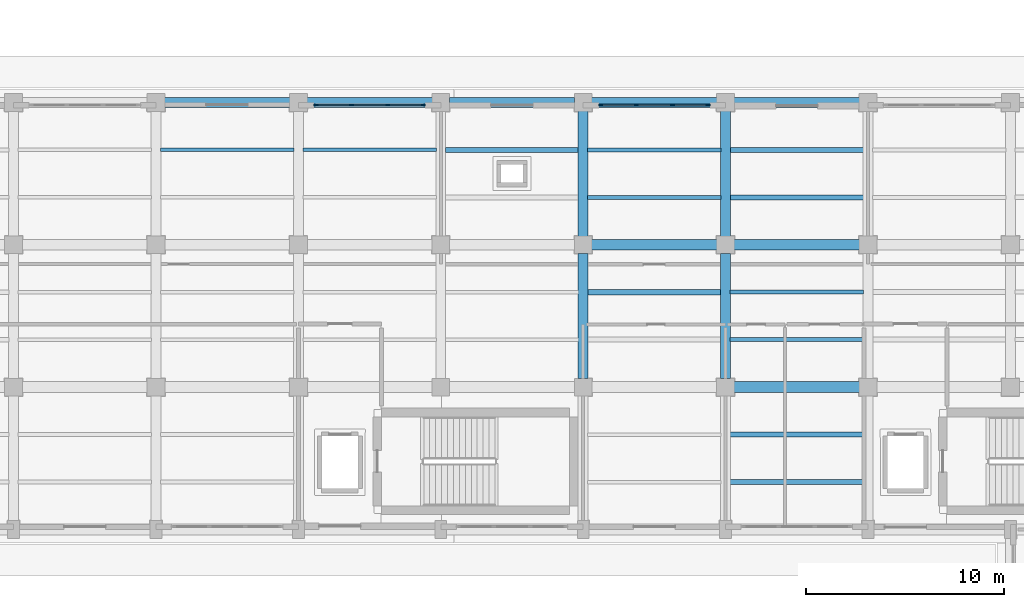
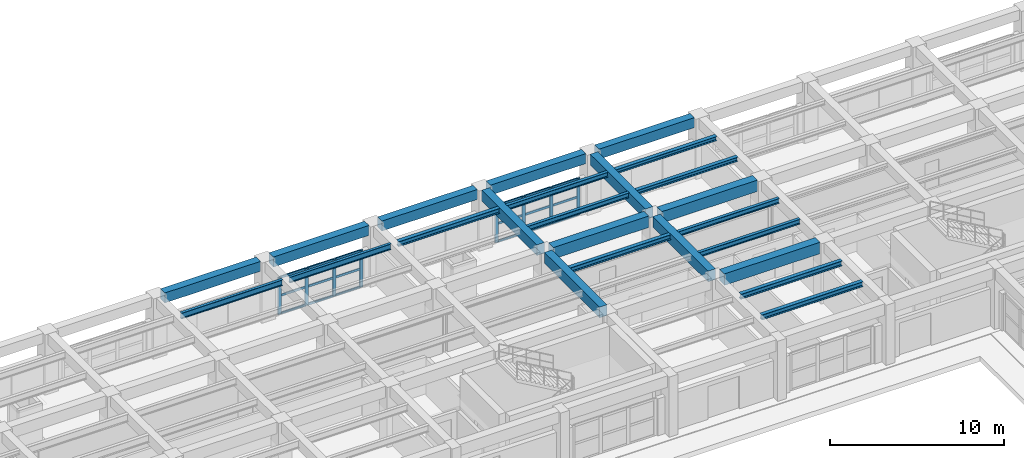
# One storey, part 25 of 64: 26 members, 24 beams, 2 elements without a shape of their own.
"""IFC4 building model written with IfcOpenShell, lengths in metres."""

from ifc_helpers import new_model, si_unit, direction, frame, origin, origin_2d, place, context, subcontext, project, spatial, rectangle, i_section, extrude, material, layer, layer_set, material_profile, profile_set, type_object, element, aggregate, save


model = new_model("IFC4")

# Units and contexts
model_context = context("Model", 3, precision=1e-05, world=origin(), true_north=direction((0.0, 1.0)))
body_context = subcontext(model_context, "Body", "Model", "MODEL_VIEW")
ifc_project = project(units=[si_unit("LENGTHUNIT", "METRE"), si_unit("AREAUNIT", "SQUARE_METRE"), si_unit("VOLUMEUNIT", "CUBIC_METRE"), si_unit("PLANEANGLEUNIT", "RADIAN"), si_unit("MASSUNIT", "GRAM", prefix="KILO")], contexts=[model_context])

# Site, building, storey
site_placement = place(None, origin())
site = spatial("IfcSite", under=ifc_project, at=site_placement, CompositionType="ELEMENT")
building_placement = place(site_placement, origin())
building = spatial("IfcBuilding", under=site, at=building_placement, Name="Solenvale Faculty of Natural Sciences", CompositionType="ELEMENT")
storey_placement = place(building_placement, origin())
storey = spatial("IfcBuildingStorey", under=building, at=storey_placement, Name="L00", CompositionType="ELEMENT", Elevation=0.0)

# Beams
ifc_material_1 = material(Name="Concrete 40 MPa", Category="concrete")
ifc_material_profile_1 = material_profile(ifc_material_1, rectangle(XDim=0.5, YDim=0.75, at=origin_2d()), Name="RC-BM-500x750")
ifc_profile_set_1 = profile_set([ifc_material_profile_1], Name="Concrete 40 MPa")
beam_type_1 = type_object("IfcBeamType", Name="BM-RC-500x750", PredefinedType="BEAM", material=ifc_profile_set_1)
for number, where, z_axis, x_axis, name in (
    (1, (115.199951171875, 101.22998046875, 3.844970703125), (0.0, 1.0, 0.0), (-1.0, 0.0, 0.0), "L00 Y-Girder X115.2 (100.8..108.0)"),
    (2, (115.199951171875, 108.429931640625, 3.844970703125), (0.0, 1.0, 0.0), (-1.0, 0.0, 0.0), "L00 Y-Girder X115.2 (108.0..115.2)"),
    (3, (122.39990234375, 101.22998046875, 3.844970703125), (0.0, 1.0, 0.0), (-1.0, 0.0, 0.0), "L00 Y-Girder X122.4 (100.8..108.0)"),
    (4, (122.39990234375, 108.429931640625, 3.844970703125), (0.0, 1.0, 0.0), (-1.0, 0.0, 0.0), "L00 Y-Girder X122.4 (108.0..115.2)"),
):
    element("IfcBeam", number, at=place(storey_placement, frame(where, z_axis=z_axis, x_axis=x_axis)), inside=storey, type_object=beam_type_1, Name=name, PredefinedType="BEAM", context=body_context, shape_type="SweptSolid", body=[
        extrude(rectangle(XDim=0.5, YDim=0.75, at=origin_2d()), origin(), (0.0, 0.0, 1.0), 6.340087890625),
    ])
ifc_material_profile_2 = material_profile(ifc_material_1, rectangle(XDim=0.550048828125, YDim=0.800048828125, at=origin_2d()), Name="RC-BM-550x800")
ifc_profile_set_2 = profile_set([ifc_material_profile_2], Name="Concrete 40 MPa")
beam_type_2 = type_object("IfcBeamType", Name="BM-RC-550x800", PredefinedType="BEAM", material=ifc_profile_set_2)
beam_1_placement = place(storey_placement, frame((122.830078125, 100.800048828125, 3.820068359375), z_axis=(1.0, 0.0, 0.0), x_axis=(0.0, 1.0, 0.0)))
element("IfcBeam", 5, at=beam_1_placement, inside=storey, type_object=beam_type_2, Name="L00 X-Girder Y100.8 (122.4..129.6)", PredefinedType="BEAM", context=body_context, shape_type="SweptSolid", body=[
    extrude(rectangle(XDim=0.550048828125, YDim=0.800048828125, at=origin_2d()), origin(), (0.0, 0.0, 1.0), 6.33984375),
])
beam_2_placement = place(storey_placement, frame((115.6298828125, 108.0, 3.820068359375), z_axis=(1.0, 0.0, 0.0), x_axis=(0.0, 1.0, 0.0)))
element("IfcBeam", 6, at=beam_2_placement, inside=storey, type_object=beam_type_2, Name="L00 X-Girder Y108.0 (115.2..122.4)", PredefinedType="BEAM", context=body_context, shape_type="SweptSolid", body=[
    extrude(rectangle(XDim=0.550048828125, YDim=0.800048828125, at=origin_2d()), origin(), (0.0, 0.0, 1.0), 6.340087890625),
])
beam_3_placement = place(storey_placement, frame((122.830078125, 108.0, 3.820068359375), z_axis=(1.0, 0.0, 0.0), x_axis=(0.0, 1.0, 0.0)))
element("IfcBeam", 7, at=beam_3_placement, inside=storey, type_object=beam_type_2, Name="L00 X-Girder Y108.0 (122.4..129.6)", PredefinedType="BEAM", context=body_context, shape_type="SweptSolid", body=[
    extrude(rectangle(XDim=0.550048828125, YDim=0.800048828125, at=origin_2d()), origin(), (0.0, 0.0, 1.0), 6.33984375),
])
ifc_material_2 = material(Name="Precast concrete 40 MPa", Category="concrete")
ifc_material_profile_3 = material_profile(ifc_material_2, rectangle(XDim=0.5, YDim=0.699951171875, at=origin_2d()), Name="RC-BM-500x700")
ifc_profile_set_3 = profile_set([ifc_material_profile_3], Name="Precast concrete 40 MPa")
beam_type_3 = type_object("IfcBeamType", Name="BM-SPN-PRC-700", PredefinedType="SPANDREL", material=ifc_profile_set_3)
for number, where, z_axis, x_axis, name in (
    (8, (94.030029296875, 115.199951171875, 3.8701171875), (1.0, 0.0, 0.0), (0.0, 1.0, 0.0), "L00 X-Girder Y115.2 (93.6..100.8)"),
    (9, (101.22998046875, 115.199951171875, 3.8701171875), (1.0, 0.0, 0.0), (0.0, 1.0, 0.0), "L00 X-Girder Y115.2 (100.8..108.0)"),
    (10, (108.429931640625, 115.199951171875, 3.8701171875), (1.0, 0.0, 0.0), (0.0, 1.0, 0.0), "L00 X-Girder Y115.2 (108.0..115.2)"),
    (11, (115.6298828125, 115.199951171875, 3.8701171875), (1.0, 0.0, 0.0), (0.0, 1.0, 0.0), "L00 X-Girder Y115.2 (115.2..122.4)"),
):
    element("IfcBeam", number, at=place(storey_placement, frame(where, z_axis=z_axis, x_axis=x_axis)), inside=storey, type_object=beam_type_3, Name=name, PredefinedType="SPANDREL", context=body_context, shape_type="SweptSolid", body=[
        extrude(rectangle(XDim=0.5, YDim=0.699951171875, at=origin_2d()), origin(), (0.0, 0.0, 1.0), 6.340087890625),
    ])
beam_4_placement = place(storey_placement, frame((122.830078125, 115.199951171875, 3.8701171875), z_axis=(1.0, 0.0, 0.0), x_axis=(0.0, 1.0, 0.0)))
element("IfcBeam", 12, at=beam_4_placement, inside=storey, type_object=beam_type_3, Name="L00 X-Girder Y115.2 (122.4..129.6)", PredefinedType="SPANDREL", context=body_context, shape_type="SweptSolid", body=[
    extrude(rectangle(XDim=0.5, YDim=0.699951171875, at=origin_2d()), origin(), (0.0, 0.0, 1.0), 6.33984375),
])
ifc_material_3 = material(Name="Steel S355", Category="steel")
ifc_material_profile_4 = material_profile(ifc_material_3, i_section(OverallWidth=0.25390625, OverallDepth=0.305908203125, WebThickness=0.0087890625, FlangeThickness=0.0146484375, FilletRadius=0.014892578125, at=origin_2d()), Name="W310x79")
ifc_profile_set_4 = profile_set([ifc_material_profile_4], Name="Steel S355")
beam_type_4 = type_object("IfcBeamType", Name="BM-STL-W310x79", PredefinedType="JOIST", material=ifc_profile_set_4)
for number, where, z_axis, x_axis, name in (
    (13, (122.6298828125, 110.39990234375, 4.06689453125), (1.0, 0.0, 0.0), (0.0, 1.0, 0.0), "L00 Composite Floor Joist (18,16).1"),
    (14, (122.6298828125, 112.800048828125, 4.06689453125), (1.0, 0.0, 0.0), (0.0, 1.0, 0.0), "L00 Composite Floor Joist (18,16).2"),
):
    element("IfcBeam", number, at=place(storey_placement, frame(where, z_axis=z_axis, x_axis=x_axis)), inside=storey, type_object=beam_type_4, Name=name, PredefinedType="JOIST", context=body_context, shape_type="SweptSolid", body=[
        extrude(i_section(OverallWidth=0.25390625, OverallDepth=0.305908203125, WebThickness=0.0087890625, FlangeThickness=0.0146484375, FilletRadius=0.014892578125, at=origin_2d()), origin(), (0.0, 0.0, 1.0), 6.740234375),
    ])
ifc_material_profile_5 = material_profile(ifc_material_3, i_section(OverallWidth=0.2548828125, OverallDepth=0.35693359375, WebThickness=0.010498046875, FlangeThickness=0.018310546875, FilletRadius=0.014892578125, at=origin_2d()), Name="W360x101")
ifc_profile_set_5 = profile_set([ifc_material_profile_5], Name="Steel S355")
beam_type_5 = type_object("IfcBeamType", Name="BM-STL-W360x101", PredefinedType="JOIST", material=ifc_profile_set_5)
for number, where, z_axis, x_axis, name in (
    (15, (108.22998046875, 112.800048828125, 4.04150390625), (1.0, 0.0, 0.0), (0.0, 1.0, 0.0), "L00 Composite Floor Joist (16,16).2"),
    (16, (115.429931640625, 105.60009765625, 4.04150390625), (1.0, 0.0, 0.0), (0.0, 1.0, 0.0), "L00 Composite Floor Joist (17,15).2"),
):
    element("IfcBeam", number, at=place(storey_placement, frame(where, z_axis=z_axis, x_axis=x_axis)), inside=storey, type_object=beam_type_5, Name=name, PredefinedType="JOIST", context=body_context, shape_type="SweptSolid", body=[
        extrude(i_section(OverallWidth=0.2548828125, OverallDepth=0.35693359375, WebThickness=0.010498046875, FlangeThickness=0.018310546875, FilletRadius=0.014892578125, at=origin_2d()), origin(), (0.0, 0.0, 1.0), 6.739990234375),
    ])
for number, where, z_axis, x_axis, name in (
    (17, (122.6298828125, 96.0, 4.04150390625), (1.0, 0.0, 0.0), (0.0, 1.0, 0.0), "L00 Composite Floor Joist (18,14).1"),
    (18, (122.6298828125, 98.39990234375, 4.04150390625), (1.0, 0.0, 0.0), (0.0, 1.0, 0.0), "L00 Composite Floor Joist (18,14).2"),
):
    element("IfcBeam", number, at=place(storey_placement, frame(where, z_axis=z_axis, x_axis=x_axis)), inside=storey, type_object=beam_type_5, Name=name, PredefinedType="JOIST", context=body_context, shape_type="SweptSolid", body=[
        extrude(i_section(OverallWidth=0.2548828125, OverallDepth=0.35693359375, WebThickness=0.010498046875, FlangeThickness=0.018310546875, FilletRadius=0.014892578125, at=origin_2d()), origin(), (0.0, 0.0, 1.0), 6.740234375),
    ])
ifc_material_profile_6 = material_profile(ifc_material_3, i_section(OverallWidth=0.2041015625, OverallDepth=0.35009765625, WebThickness=0.008544921875, FlangeThickness=0.01513671875, FilletRadius=0.014892578125, at=origin_2d()), Name="W360x72")
ifc_profile_set_6 = profile_set([ifc_material_profile_6], Name="Steel S355")
beam_type_6 = type_object("IfcBeamType", Name="BM-STL-W360x72", PredefinedType="JOIST", material=ifc_profile_set_6)
for number, where, z_axis, x_axis, name in (
    (19, (115.429931640625, 110.39990234375, 4.044921875), (1.0, 0.0, 0.0), (0.0, 1.0, 0.0), "L00 Composite Floor Joist (17,16).1"),
    (20, (115.429931640625, 112.800048828125, 4.044921875), (1.0, 0.0, 0.0), (0.0, 1.0, 0.0), "L00 Composite Floor Joist (17,16).2"),
):
    element("IfcBeam", number, at=place(storey_placement, frame(where, z_axis=z_axis, x_axis=x_axis)), inside=storey, type_object=beam_type_6, Name=name, PredefinedType="JOIST", context=body_context, shape_type="SweptSolid", body=[
        extrude(i_section(OverallWidth=0.2041015625, OverallDepth=0.35009765625, WebThickness=0.008544921875, FlangeThickness=0.01513671875, FilletRadius=0.014892578125, at=origin_2d()), origin(), (0.0, 0.0, 1.0), 6.739990234375),
    ])
for number, where, z_axis, x_axis, name in (
    (21, (122.6298828125, 103.199951171875, 4.044921875), (1.0, 0.0, 0.0), (0.0, 1.0, 0.0), "L00 Composite Floor Joist (18,15).1"),
    (22, (122.6298828125, 105.60009765625, 4.044921875), (1.0, 0.0, 0.0), (0.0, 1.0, 0.0), "L00 Composite Floor Joist (18,15).2"),
):
    element("IfcBeam", number, at=place(storey_placement, frame(where, z_axis=z_axis, x_axis=x_axis)), inside=storey, type_object=beam_type_6, Name=name, PredefinedType="JOIST", context=body_context, shape_type="SweptSolid", body=[
        extrude(i_section(OverallWidth=0.2041015625, OverallDepth=0.35009765625, WebThickness=0.008544921875, FlangeThickness=0.01513671875, FilletRadius=0.014892578125, at=origin_2d()), origin(), (0.0, 0.0, 1.0), 6.740234375),
    ])
ifc_material_profile_7 = material_profile(ifc_material_3, i_section(OverallWidth=0.178955078125, OverallDepth=0.409912109375, WebThickness=0.0087890625, FlangeThickness=0.014404296875, FilletRadius=0.01611328125, at=origin_2d()), Name="W410x67")
ifc_profile_set_7 = profile_set([ifc_material_profile_7], Name="Steel S355")
beam_type_7 = type_object("IfcBeamType", Name="BM-STL-W410x67", PredefinedType="JOIST", material=ifc_profile_set_7)
beam_5_placement = place(storey_placement, frame((101.030029296875, 112.800048828125, 4.014892578125), z_axis=(1.0, 0.0, 0.0), x_axis=(0.0, 1.0, 0.0)))
element("IfcBeam", 23, at=beam_5_placement, inside=storey, type_object=beam_type_7, Name="L00 Composite Floor Joist (15,16).2", PredefinedType="JOIST", context=body_context, shape_type="SweptSolid", body=[
    extrude(i_section(OverallWidth=0.178955078125, OverallDepth=0.409912109375, WebThickness=0.0087890625, FlangeThickness=0.014404296875, FilletRadius=0.01611328125, at=origin_2d()), origin(), (0.0, 0.0, 1.0), 6.739990234375),
])
ifc_material_profile_8 = material_profile(ifc_material_3, i_section(OverallWidth=0.180908203125, OverallDepth=0.4169921875, WebThickness=0.010986328125, FlangeThickness=0.018310546875, FilletRadius=0.01611328125, at=origin_2d()), Name="W410x85")
ifc_profile_set_8 = profile_set([ifc_material_profile_8], Name="Steel S355")
beam_type_8 = type_object("IfcBeamType", Name="BM-STL-W410x85", PredefinedType="JOIST", material=ifc_profile_set_8)
beam_6_placement = place(storey_placement, frame((93.830078125, 112.800048828125, 4.011474609375), z_axis=(1.0, 0.0, 0.0), x_axis=(0.0, 1.0, 0.0)))
element("IfcBeam", 24, at=beam_6_placement, inside=storey, type_object=beam_type_8, Name="L00 Composite Floor Joist (14,16).2", PredefinedType="JOIST", context=body_context, shape_type="SweptSolid", body=[
    extrude(i_section(OverallWidth=0.180908203125, OverallDepth=0.4169921875, WebThickness=0.010986328125, FlangeThickness=0.018310546875, FilletRadius=0.01611328125, at=origin_2d()), origin(), (0.0, 0.0, 1.0), 6.739990234375),
])

# Curtain wall, members
ifc_material_4 = material(Name="Anodised bronze aluminium", Category="aluminium")
ifc_layer = layer(ifc_material_4, 0.179931640625)
ifc_layer_set = layer_set([ifc_layer], Name="Anodised bronze aluminium")
curtain_wall_type = type_object("IfcCurtainWallType", Name="CW-TWR-MOD", PredefinedType="USERDEFINED", material=ifc_layer_set)
curtain_wall_1_placement = place(storey_placement, origin())
curtain_wall_1 = element("IfcCurtainWall", 25, at=curtain_wall_1_placement, inside=storey, type_object=curtain_wall_type, Name="L00 Curtain Wall CW-L00-P1-E17-B5", ObjectType="UNITISED CURTAIN WALL", PredefinedType="USERDEFINED")
ifc_material_profile_9 = material_profile(ifc_material_4, rectangle(XDim=0.074951171875, YDim=0.2099609375, at=origin_2d()), Name="ALU-MUL-75x210")
ifc_profile_set_9 = profile_set([ifc_material_profile_9], Name="Anodised bronze aluminium")
member_type_1 = type_object("IfcMemberType", Name="CWM-ALU-75x210", PredefinedType="MULLION", material=ifc_profile_set_9)
member_1_placement = place(storey_placement, frame((121.512451171875, 115.0576171875, 0.0), z_axis=(0.0, 0.0, 1.0), x_axis=(0.0, -1.0, 0.0)))
member_1 = element("IfcMember", 26, at=member_1_placement, type_object=member_type_1, Name="CW-04 mullion 1", PredefinedType="MULLION", context=body_context, shape_type="SweptSolid", body=[
    extrude(rectangle(XDim=0.074951171875, YDim=0.2099609375, at=origin_2d()), origin(), (0.0, 0.0, 1.0), 2.60009765625),
])
member_2_placement = place(storey_placement, frame((119.716552734375, 115.0576171875, 0.0), z_axis=(0.0, 0.0, 1.0), x_axis=(0.0, -1.0, 0.0)))
member_2 = element("IfcMember", 27, at=member_2_placement, type_object=member_type_1, Name="CW-04 mullion 2", PredefinedType="MULLION", context=body_context, shape_type="SweptSolid", body=[
    extrude(rectangle(XDim=0.074951171875, YDim=0.2099609375, at=origin_2d()), origin(), (0.0, 0.0, 1.0), 2.60009765625),
])
member_3_placement = place(storey_placement, frame((117.88330078125, 115.0576171875, 0.0), z_axis=(0.0, 0.0, 1.0), x_axis=(0.0, -1.0, 0.0)))
member_3 = element("IfcMember", 28, at=member_3_placement, type_object=member_type_1, Name="CW-04 mullion 3", PredefinedType="MULLION", context=body_context, shape_type="SweptSolid", body=[
    extrude(rectangle(XDim=0.074951171875, YDim=0.2099609375, at=origin_2d()), origin(), (0.0, 0.0, 1.0), 2.60009765625),
])
member_4_placement = place(storey_placement, frame((116.08740234375, 115.0576171875, 0.0), z_axis=(0.0, 0.0, 1.0), x_axis=(0.0, -1.0, 0.0)))
member_4 = element("IfcMember", 29, at=member_4_placement, type_object=member_type_1, Name="CW-04 mullion 4", PredefinedType="MULLION", context=body_context, shape_type="SweptSolid", body=[
    extrude(rectangle(XDim=0.074951171875, YDim=0.2099609375, at=origin_2d()), origin(), (0.0, 0.0, 1.0), 2.60009765625),
])

curtain_wall_2_placement = place(storey_placement, origin())
curtain_wall_2 = element("IfcCurtainWall", 30, at=curtain_wall_2_placement, inside=storey, type_object=curtain_wall_type, Name="L00 Curtain Wall CW-L00-P1-E17-B7", ObjectType="UNITISED CURTAIN WALL", PredefinedType="USERDEFINED")
member_5_placement = place(storey_placement, frame((107.112548828125, 115.0576171875, 0.0), z_axis=(0.0, 0.0, 1.0), x_axis=(0.0, -1.0, 0.0)))
member_5 = element("IfcMember", 31, at=member_5_placement, type_object=member_type_1, Name="CW-04 mullion 1", PredefinedType="MULLION", context=body_context, shape_type="SweptSolid", body=[
    extrude(rectangle(XDim=0.074951171875, YDim=0.2099609375, at=origin_2d()), origin(), (0.0, 0.0, 1.0), 2.60009765625),
])
member_6_placement = place(storey_placement, frame((105.316650390625, 115.0576171875, 0.0), z_axis=(0.0, 0.0, 1.0), x_axis=(0.0, -1.0, 0.0)))
member_6 = element("IfcMember", 32, at=member_6_placement, type_object=member_type_1, Name="CW-04 mullion 2", PredefinedType="MULLION", context=body_context, shape_type="SweptSolid", body=[
    extrude(rectangle(XDim=0.074951171875, YDim=0.2099609375, at=origin_2d()), origin(), (0.0, 0.0, 1.0), 2.60009765625),
])
member_7_placement = place(storey_placement, frame((103.4833984375, 115.0576171875, 0.0), z_axis=(0.0, 0.0, 1.0), x_axis=(0.0, -1.0, 0.0)))
member_7 = element("IfcMember", 33, at=member_7_placement, type_object=member_type_1, Name="CW-04 mullion 3", PredefinedType="MULLION", context=body_context, shape_type="SweptSolid", body=[
    extrude(rectangle(XDim=0.074951171875, YDim=0.2099609375, at=origin_2d()), origin(), (0.0, 0.0, 1.0), 2.60009765625),
])
member_8_placement = place(storey_placement, frame((101.6875, 115.0576171875, 0.0), z_axis=(0.0, 0.0, 1.0), x_axis=(0.0, -1.0, 0.0)))
member_8 = element("IfcMember", 34, at=member_8_placement, type_object=member_type_1, Name="CW-04 mullion 4", PredefinedType="MULLION", context=body_context, shape_type="SweptSolid", body=[
    extrude(rectangle(XDim=0.074951171875, YDim=0.2099609375, at=origin_2d()), origin(), (0.0, 0.0, 1.0), 2.60009765625),
])

# Member
ifc_material_profile_10 = material_profile(ifc_material_4, rectangle(XDim=0.074951171875, YDim=0.155029296875, at=origin_2d()), Name="ALU-TRN-75x155")
ifc_profile_set_10 = profile_set([ifc_material_profile_10], Name="Anodised bronze aluminium")
member_type_2 = type_object("IfcMemberType", Name="CWT-ALU-75x155", PredefinedType="USERDEFINED", material=ifc_profile_set_10)
member_9_placement = place(storey_placement, frame((121.47509765625, 115.0576171875, 0.03759765625), z_axis=(-1.0, 0.0, 0.0), x_axis=(0.0, -1.0, 0.0)))
member_9 = element("IfcMember", 35, at=member_9_placement, type_object=member_type_2, Name="CW-04 transom 1.1", ObjectType="TRANSOM", PredefinedType="USERDEFINED", context=body_context, shape_type="SweptSolid", body=[
    extrude(rectangle(XDim=0.074951171875, YDim=0.155029296875, at=origin_2d()), origin(), (0.0, 0.0, 1.0), 1.720947265625),
])

member_10_placement = place(storey_placement, frame((121.47509765625, 115.0576171875, 1.300048828125), z_axis=(-1.0, 0.0, 0.0), x_axis=(0.0, -1.0, 0.0)))
member_10 = element("IfcMember", 36, at=member_10_placement, type_object=member_type_2, Name="CW-04 transom 1.2", ObjectType="TRANSOM", PredefinedType="USERDEFINED", context=body_context, shape_type="SweptSolid", body=[
    extrude(rectangle(XDim=0.074951171875, YDim=0.155029296875, at=origin_2d()), origin(), (0.0, 0.0, 1.0), 1.720947265625),
])

member_11_placement = place(storey_placement, frame((121.47509765625, 115.0576171875, 2.5625), z_axis=(-1.0, 0.0, 0.0), x_axis=(0.0, -1.0, 0.0)))
member_11 = element("IfcMember", 37, at=member_11_placement, type_object=member_type_2, Name="CW-04 transom 1.3", ObjectType="TRANSOM", PredefinedType="USERDEFINED", context=body_context, shape_type="SweptSolid", body=[
    extrude(rectangle(XDim=0.074951171875, YDim=0.155029296875, at=origin_2d()), origin(), (0.0, 0.0, 1.0), 1.720947265625),
])

member_12_placement = place(storey_placement, frame((119.67919921875, 115.0576171875, 0.03759765625), z_axis=(-1.0, 0.0, 0.0), x_axis=(0.0, -1.0, 0.0)))
member_12 = element("IfcMember", 38, at=member_12_placement, type_object=member_type_2, Name="CW-04 transom 2.1", ObjectType="TRANSOM", PredefinedType="USERDEFINED", context=body_context, shape_type="SweptSolid", body=[
    extrude(rectangle(XDim=0.074951171875, YDim=0.155029296875, at=origin_2d()), origin(), (0.0, 0.0, 1.0), 1.75830078125),
])

member_13_placement = place(storey_placement, frame((119.67919921875, 115.0576171875, 1.300048828125), z_axis=(-1.0, 0.0, 0.0), x_axis=(0.0, -1.0, 0.0)))
member_13 = element("IfcMember", 39, at=member_13_placement, type_object=member_type_2, Name="CW-04 transom 2.2", ObjectType="TRANSOM", PredefinedType="USERDEFINED", context=body_context, shape_type="SweptSolid", body=[
    extrude(rectangle(XDim=0.074951171875, YDim=0.155029296875, at=origin_2d()), origin(), (0.0, 0.0, 1.0), 1.75830078125),
])

member_14_placement = place(storey_placement, frame((119.67919921875, 115.0576171875, 2.5625), z_axis=(-1.0, 0.0, 0.0), x_axis=(0.0, -1.0, 0.0)))
member_14 = element("IfcMember", 40, at=member_14_placement, type_object=member_type_2, Name="CW-04 transom 2.3", ObjectType="TRANSOM", PredefinedType="USERDEFINED", context=body_context, shape_type="SweptSolid", body=[
    extrude(rectangle(XDim=0.074951171875, YDim=0.155029296875, at=origin_2d()), origin(), (0.0, 0.0, 1.0), 1.75830078125),
])

member_15_placement = place(storey_placement, frame((117.845947265625, 115.0576171875, 0.03759765625), z_axis=(-1.0, 0.0, 0.0), x_axis=(0.0, -1.0, 0.0)))
member_15 = element("IfcMember", 41, at=member_15_placement, type_object=member_type_2, Name="CW-04 transom 3.1", ObjectType="TRANSOM", PredefinedType="USERDEFINED", context=body_context, shape_type="SweptSolid", body=[
    extrude(rectangle(XDim=0.074951171875, YDim=0.155029296875, at=origin_2d()), origin(), (0.0, 0.0, 1.0), 1.720947265625),
])

member_16_placement = place(storey_placement, frame((117.845947265625, 115.0576171875, 1.300048828125), z_axis=(-1.0, 0.0, 0.0), x_axis=(0.0, -1.0, 0.0)))
member_16 = element("IfcMember", 42, at=member_16_placement, type_object=member_type_2, Name="CW-04 transom 3.2", ObjectType="TRANSOM", PredefinedType="USERDEFINED", context=body_context, shape_type="SweptSolid", body=[
    extrude(rectangle(XDim=0.074951171875, YDim=0.155029296875, at=origin_2d()), origin(), (0.0, 0.0, 1.0), 1.720947265625),
])

member_17_placement = place(storey_placement, frame((117.845947265625, 115.0576171875, 2.5625), z_axis=(-1.0, 0.0, 0.0), x_axis=(0.0, -1.0, 0.0)))
member_17 = element("IfcMember", 43, at=member_17_placement, type_object=member_type_2, Name="CW-04 transom 3.3", ObjectType="TRANSOM", PredefinedType="USERDEFINED", context=body_context, shape_type="SweptSolid", body=[
    extrude(rectangle(XDim=0.074951171875, YDim=0.155029296875, at=origin_2d()), origin(), (0.0, 0.0, 1.0), 1.720947265625),
])

aggregate(curtain_wall_1, [member_1, member_2, member_3, member_4, member_9, member_10, member_11, member_12, member_13, member_14, member_15, member_16, member_17])

member_18_placement = place(storey_placement, frame((107.074951171875, 115.0576171875, 0.03759765625), z_axis=(-1.0, 0.0, 0.0), x_axis=(0.0, -1.0, 0.0)))
member_18 = element("IfcMember", 44, at=member_18_placement, type_object=member_type_2, Name="CW-04 transom 1.1", ObjectType="TRANSOM", PredefinedType="USERDEFINED", context=body_context, shape_type="SweptSolid", body=[
    extrude(rectangle(XDim=0.074951171875, YDim=0.155029296875, at=origin_2d()), origin(), (0.0, 0.0, 1.0), 1.720703125),
])

member_19_placement = place(storey_placement, frame((107.074951171875, 115.0576171875, 1.300048828125), z_axis=(-1.0, 0.0, 0.0), x_axis=(0.0, -1.0, 0.0)))
member_19 = element("IfcMember", 45, at=member_19_placement, type_object=member_type_2, Name="CW-04 transom 1.2", ObjectType="TRANSOM", PredefinedType="USERDEFINED", context=body_context, shape_type="SweptSolid", body=[
    extrude(rectangle(XDim=0.074951171875, YDim=0.155029296875, at=origin_2d()), origin(), (0.0, 0.0, 1.0), 1.720703125),
])

member_20_placement = place(storey_placement, frame((107.074951171875, 115.0576171875, 2.5625), z_axis=(-1.0, 0.0, 0.0), x_axis=(0.0, -1.0, 0.0)))
member_20 = element("IfcMember", 46, at=member_20_placement, type_object=member_type_2, Name="CW-04 transom 1.3", ObjectType="TRANSOM", PredefinedType="USERDEFINED", context=body_context, shape_type="SweptSolid", body=[
    extrude(rectangle(XDim=0.074951171875, YDim=0.155029296875, at=origin_2d()), origin(), (0.0, 0.0, 1.0), 1.720703125),
])

member_21_placement = place(storey_placement, frame((105.279052734375, 115.0576171875, 0.03759765625), z_axis=(-1.0, 0.0, 0.0), x_axis=(0.0, -1.0, 0.0)))
member_21 = element("IfcMember", 47, at=member_21_placement, type_object=member_type_2, Name="CW-04 transom 2.1", ObjectType="TRANSOM", PredefinedType="USERDEFINED", context=body_context, shape_type="SweptSolid", body=[
    extrude(rectangle(XDim=0.074951171875, YDim=0.155029296875, at=origin_2d()), origin(), (0.0, 0.0, 1.0), 1.75830078125),
])

member_22_placement = place(storey_placement, frame((105.279052734375, 115.0576171875, 1.300048828125), z_axis=(-1.0, 0.0, 0.0), x_axis=(0.0, -1.0, 0.0)))
member_22 = element("IfcMember", 48, at=member_22_placement, type_object=member_type_2, Name="CW-04 transom 2.2", ObjectType="TRANSOM", PredefinedType="USERDEFINED", context=body_context, shape_type="SweptSolid", body=[
    extrude(rectangle(XDim=0.074951171875, YDim=0.155029296875, at=origin_2d()), origin(), (0.0, 0.0, 1.0), 1.75830078125),
])

member_23_placement = place(storey_placement, frame((105.279052734375, 115.0576171875, 2.5625), z_axis=(-1.0, 0.0, 0.0), x_axis=(0.0, -1.0, 0.0)))
member_23 = element("IfcMember", 49, at=member_23_placement, type_object=member_type_2, Name="CW-04 transom 2.3", ObjectType="TRANSOM", PredefinedType="USERDEFINED", context=body_context, shape_type="SweptSolid", body=[
    extrude(rectangle(XDim=0.074951171875, YDim=0.155029296875, at=origin_2d()), origin(), (0.0, 0.0, 1.0), 1.75830078125),
])

member_24_placement = place(storey_placement, frame((103.44580078125, 115.0576171875, 0.03759765625), z_axis=(-1.0, 0.0, 0.0), x_axis=(0.0, -1.0, 0.0)))
member_24 = element("IfcMember", 50, at=member_24_placement, type_object=member_type_2, Name="CW-04 transom 3.1", ObjectType="TRANSOM", PredefinedType="USERDEFINED", context=body_context, shape_type="SweptSolid", body=[
    extrude(rectangle(XDim=0.074951171875, YDim=0.155029296875, at=origin_2d()), origin(), (0.0, 0.0, 1.0), 1.720703125),
])

member_25_placement = place(storey_placement, frame((103.44580078125, 115.0576171875, 1.300048828125), z_axis=(-1.0, 0.0, 0.0), x_axis=(0.0, -1.0, 0.0)))
member_25 = element("IfcMember", 51, at=member_25_placement, type_object=member_type_2, Name="CW-04 transom 3.2", ObjectType="TRANSOM", PredefinedType="USERDEFINED", context=body_context, shape_type="SweptSolid", body=[
    extrude(rectangle(XDim=0.074951171875, YDim=0.155029296875, at=origin_2d()), origin(), (0.0, 0.0, 1.0), 1.720703125),
])

member_26_placement = place(storey_placement, frame((103.44580078125, 115.0576171875, 2.5625), z_axis=(-1.0, 0.0, 0.0), x_axis=(0.0, -1.0, 0.0)))
member_26 = element("IfcMember", 52, at=member_26_placement, type_object=member_type_2, Name="CW-04 transom 3.3", ObjectType="TRANSOM", PredefinedType="USERDEFINED", context=body_context, shape_type="SweptSolid", body=[
    extrude(rectangle(XDim=0.074951171875, YDim=0.155029296875, at=origin_2d()), origin(), (0.0, 0.0, 1.0), 1.720703125),
])

aggregate(curtain_wall_2, [member_5, member_6, member_7, member_8, member_18, member_19, member_20, member_21, member_22, member_23, member_24, member_25, member_26])

save(model, "model.ifc")
